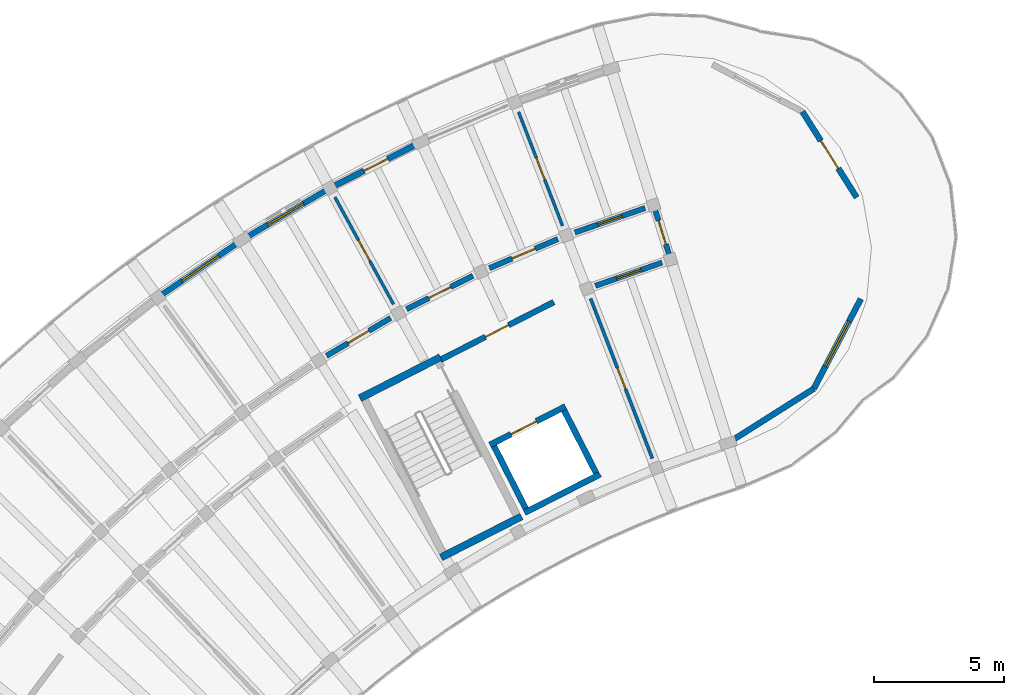
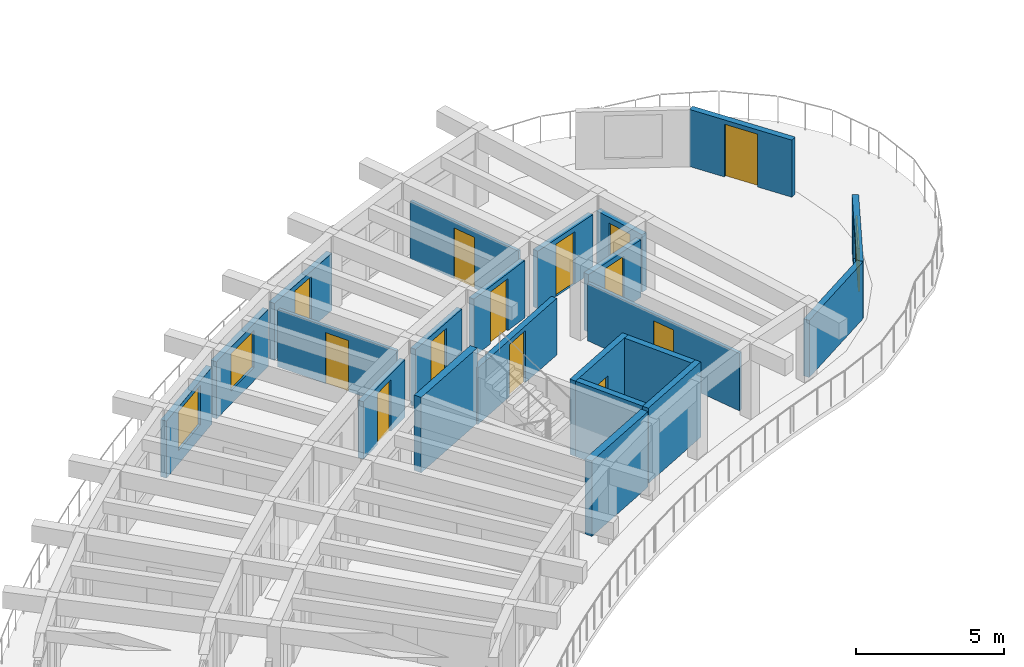
# One storey, part 11 of 19: 22 walls, 13 doors, 3 windows, 16 openings.
"""IFC4 building model written with IfcOpenShell, lengths in metres."""

from ifc_helpers import new_model, si_unit, direction, frame, frame_2d, origin, place, context, subcontext, project, spatial, rectangle, extrude, material, layer, layer_set, type_object, element, fill, save


model = new_model("IFC4")

# Units and contexts
model_context = context("Model", 3, precision=1e-05, world=origin(), true_north=direction((0.0, 1.0)))
body_context = subcontext(model_context, "Body", "Model", "MODEL_VIEW")
ifc_project = project(units=[si_unit("LENGTHUNIT", "METRE"), si_unit("AREAUNIT", "SQUARE_METRE"), si_unit("VOLUMEUNIT", "CUBIC_METRE"), si_unit("PLANEANGLEUNIT", "RADIAN"), si_unit("MASSUNIT", "GRAM", prefix="KILO")], contexts=[model_context])

# Site, building, storey
site_placement = place(None, origin())
site = spatial("IfcSite", under=ifc_project, at=site_placement, CompositionType="ELEMENT")
building_placement = place(site_placement, origin())
building = spatial("IfcBuilding", under=site, at=building_placement, Name="Tanwirah Colonnade Gardens", CompositionType="ELEMENT")
storey_placement = place(building_placement, frame((0.0, 0.0, 45.800048828125)))
storey = spatial("IfcBuildingStorey", under=building, at=storey_placement, Name="L13", CompositionType="ELEMENT", Elevation=45.800048828125)

# Wall, opening, door
ifc_material_1 = material(Name="Limestone architectural precast concrete C40/50", Category="masonry")
ifc_layer_1 = layer(ifc_material_1, 0.22509765625)
ifc_layer_set_1 = layer_set([ifc_layer_1], Name="Limestone architectural precast concrete C40/50")
wall_type_1 = type_object("IfcWallType", Name="EW-PC225", PredefinedType="SOLIDWALL", material=ifc_layer_set_1)
wall_1_placement = place(storey_placement, frame((39.79052734375, 114.14501953125, 0.0), z_axis=(0.0, 0.0, 1.0), x_axis=(-0.892761804842, -0.450528977776, 0.0)))
wall_1 = element("IfcWall", 1, at=wall_1_placement, inside=storey, type_object=wall_type_1, Name="Block A L13 OUT Precast Facade Wall 5", PredefinedType="SOLIDWALL", context=body_context, shape_type="SweptSolid", body=[
    extrude(rectangle(XDim=3.560791015625, YDim=0.22509765625, at=frame_2d((1.7802734375, 0.0))), origin(), (0.0, 0.0, 1.0), 2.35498046875),
])
opening_1_placement = place(wall_1_placement, frame((1.270263671875, 0.0, 0.0)))
opening_1 = element("IfcOpeningElement", 2, at=opening_1_placement, cuts=wall_1, Name="Opening L13-ED061", PredefinedType="OPENING", context=body_context, shape_type="SweptSolid", body=[
    extrude(rectangle(XDim=1.02001953125, YDim=2.139892578125, at=frame_2d((0.510009765625, 1.06982421875))), frame((0.0, 0.12255859375, 0.0), z_axis=(0.0, -1.0, 0.0), x_axis=(1.0, 0.0, 0.0)), (0.0, 0.0, 1.0), 0.2451171875),
])
ifc_material_2 = material(Name="Bronze aluminium glazed balcony door", Category="aluminium")
door_type_1 = type_object("IfcDoorType", Name="ED-BAL102", OperationType="NOTDEFINED", PredefinedType="DOOR", material=ifc_material_2)
door_1_placement = place(opening_1_placement, origin())
door_1 = element("IfcDoor", 3, at=door_1_placement, inside=storey, type_object=door_type_1, Name="Balcony glazed door L13-ED061", OperationType="SINGLE_SWING_LEFT", OverallHeight=2.139892578125, OverallWidth=1.02001953125, PredefinedType="DOOR", context=body_context, shape_type="SweptSolid", body=[
    extrude(rectangle(XDim=1.02001953125, YDim=2.139892578125, at=frame_2d((0.510009765625, 1.06982421875))), frame((0.0, 0.02490234375, 0.0), z_axis=(0.0, -1.0, 0.0), x_axis=(1.0, 0.0, 0.0)), (0.0, 0.0, 1.0), 0.050048828125),
])
fill(opening_1, door_1)

# Wall, opening, window
wall_2_placement = place(storey_placement, frame((36.2607421875, 112.34912109375, 0.0), z_axis=(0.0, 0.0, 1.0), x_axis=(-0.861113476273, -0.508412805682, 0.0)))
wall_2 = element("IfcWall", 4, at=wall_2_placement, inside=storey, type_object=wall_type_1, Name="Block A L13 OUT Precast Facade Wall 6", PredefinedType="SOLIDWALL", context=body_context, shape_type="SweptSolid", body=[
    extrude(rectangle(XDim=3.560791015625, YDim=0.22509765625, at=frame_2d((1.7802734375, 0.0))), origin(), (0.0, 0.0, 1.0), 2.35498046875),
])
opening_2_placement = place(wall_2_placement, frame((0.98046875, 0.0, 0.550048828125)))
opening_2 = element("IfcOpeningElement", 5, at=opening_2_placement, cuts=wall_2, Name="Opening WIN-U12", PredefinedType="OPENING", context=body_context, shape_type="SweptSolid", body=[
    extrude(rectangle(XDim=1.60009765625, YDim=1.534912109375, at=frame_2d((0.800048828125, 0.767578125))), frame((0.0, 0.12255859375, 0.0), z_axis=(0.0, -1.0, 0.0), x_axis=(1.0, 0.0, 0.0)), (0.0, 0.0, 1.0), 0.2451171875),
])
ifc_material_3 = material(Name="Thermally broken bronze aluminium and solar low-E double glazing", Category="aluminium")
window_type_1 = type_object("IfcWindowType", Name="WIN-U12", PartitioningType="DOUBLE_PANEL_VERTICAL", PredefinedType="WINDOW", material=ifc_material_3)
window_1_placement = place(opening_2_placement, origin())
window_1 = element("IfcWindow", 6, at=window_1_placement, inside=storey, type_object=window_type_1, Name="Facade window A-L13-OUT-06", OverallHeight=1.534912109375, OverallWidth=1.60009765625, PartitioningType="SINGLE_PANEL", PredefinedType="WINDOW", context=body_context, shape_type="SweptSolid", body=[
    extrude(rectangle(XDim=1.60009765625, YDim=1.534912109375, at=frame_2d((0.800048828125, 0.767578125))), frame((0.0, 0.030029296875, 0.0), z_axis=(0.0, -1.0, 0.0), x_axis=(1.0, 0.0, 0.0)), (0.0, 0.0, 1.0), 0.06005859375),
])
fill(opening_2, window_1)

wall_3_placement = place(storey_placement, frame((32.916259765625, 110.36181640625, 0.0), z_axis=(0.0, 0.0, 1.0), x_axis=(-0.82580643372, -0.563953663014, 0.0)))
wall_3 = element("IfcWall", 7, at=wall_3_placement, inside=storey, type_object=wall_type_1, Name="Block A L13 OUT Precast Facade Wall 7", PredefinedType="SOLIDWALL", context=body_context, shape_type="SweptSolid", body=[
    extrude(rectangle(XDim=3.560791015625, YDim=0.22509765625, at=frame_2d((1.7802734375, 0.0))), origin(), (0.0, 0.0, 1.0), 2.35498046875),
])
opening_3_placement = place(wall_3_placement, frame((0.92041015625, 0.0, 0.550048828125)))
opening_3 = element("IfcOpeningElement", 8, at=opening_3_placement, cuts=wall_3, Name="Opening WIN-U15", PredefinedType="OPENING", context=body_context, shape_type="SweptSolid", body=[
    extrude(rectangle(XDim=1.719970703125, YDim=1.610107421875, at=frame_2d((0.85986328125, 0.80517578125))), frame((0.0, 0.12255859375, 0.0), z_axis=(0.0, -1.0, 0.0), x_axis=(1.0, 0.0, 0.0)), (0.0, 0.0, 1.0), 0.2451171875),
])
window_type_2 = type_object("IfcWindowType", Name="WIN-U15", PartitioningType="DOUBLE_PANEL_VERTICAL", PredefinedType="WINDOW", material=ifc_material_3)
window_2_placement = place(opening_3_placement, origin())
window_2 = element("IfcWindow", 9, at=window_2_placement, inside=storey, type_object=window_type_2, Name="Facade window A-L13-OUT-07", OverallHeight=1.610107421875, OverallWidth=1.719970703125, PartitioningType="SINGLE_PANEL", PredefinedType="WINDOW", context=body_context, shape_type="SweptSolid", body=[
    extrude(rectangle(XDim=1.719970703125, YDim=1.610107421875, at=frame_2d((0.85986328125, 0.80517578125))), frame((0.0, 0.030029296875, 0.0), z_axis=(0.0, -1.0, 0.0), x_axis=(1.0, 0.0, 0.0)), (0.0, 0.0, 1.0), 0.06005859375),
])
fill(opening_3, window_2)

# Wall, opening, door
wall_4_placement = place(storey_placement, frame((54.62451171875, 115.39013671875, 0.0), z_axis=(0.0, 0.0, 1.0), x_axis=(0.534852920994, -0.844945177455, 0.0)))
wall_4 = element("IfcWall", 10, at=wall_4_placement, inside=storey, type_object=wall_type_1, Name="Block A L13 START Rounded End Wall 2", PredefinedType="SOLIDWALL", context=body_context, shape_type="SweptSolid", body=[
    extrude(rectangle(XDim=3.908203125, YDim=0.22509765625, at=frame_2d((1.9541015625, 0.0))), origin(), (0.0, 0.0, 1.0), 2.35498046875),
])
opening_4_placement = place(wall_4_placement, frame((1.32421875, 0.0, 0.0)))
opening_4 = element("IfcOpeningElement", 11, at=opening_4_placement, cuts=wall_4, Name="Opening L13-ED063", PredefinedType="OPENING", context=body_context, shape_type="SweptSolid", body=[
    extrude(rectangle(XDim=1.260009765625, YDim=2.179931640625, at=frame_2d((0.6298828125, 1.08984375))), frame((0.0, 0.12255859375, 0.0), z_axis=(0.0, -1.0, 0.0), x_axis=(1.0, 0.0, 0.0)), (0.0, 0.0, 1.0), 0.2451171875),
])
ifc_material_4 = material(Name="Bronze aluminium glazed terrace door", Category="aluminium")
door_type_2 = type_object("IfcDoorType", Name="ED-TER126", OperationType="NOTDEFINED", PredefinedType="DOOR", material=ifc_material_4)
door_2_placement = place(opening_4_placement, origin())
door_2 = element("IfcDoor", 12, at=door_2_placement, inside=storey, type_object=door_type_2, Name="Stepped corner terrace door L13-ED063", OperationType="SINGLE_SWING_RIGHT", OverallHeight=2.179931640625, OverallWidth=1.260009765625, PredefinedType="DOOR", context=body_context, shape_type="SweptSolid", body=[
    extrude(rectangle(XDim=1.260009765625, YDim=2.179931640625, at=frame_2d((0.6298828125, 1.08984375))), frame((0.0, 0.02490234375, 0.0), z_axis=(0.0, -1.0, 0.0), x_axis=(1.0, 0.0, 0.0)), (0.0, 0.0, 1.0), 0.050048828125),
])
fill(opening_4, door_2)

# Wall, opening, window
wall_5_placement = place(storey_placement, frame((56.873779296875, 108.18310546875, 0.0), z_axis=(0.0, 0.0, 1.0), x_axis=(-0.464273080326, -0.885692106143, 0.0)))
wall_5 = element("IfcWall", 13, at=wall_5_placement, inside=storey, type_object=wall_type_1, Name="Block A L13 START Rounded End Wall 4", PredefinedType="SOLIDWALL", context=body_context, shape_type="SweptSolid", body=[
    extrude(rectangle(XDim=3.908203125, YDim=0.22509765625, at=frame_2d((1.9541015625, 0.0))), origin(), (0.0, 0.0, 1.0), 2.35498046875),
])
opening_5_placement = place(wall_5_placement, frame((0.97900390625, 0.0, 0.39990234375)))
opening_5 = element("IfcOpeningElement", 14, at=opening_5_placement, cuts=wall_5, Name="Opening WIN-END2", PredefinedType="OPENING", context=body_context, shape_type="SweptSolid", body=[
    extrude(rectangle(XDim=1.949951171875, YDim=1.780029296875, at=frame_2d((0.97509765625, 0.89013671875))), frame((0.0, 0.12255859375, 0.0), z_axis=(0.0, -1.0, 0.0), x_axis=(1.0, 0.0, 0.0)), (0.0, 0.0, 1.0), 0.2451171875),
])
window_type_3 = type_object("IfcWindowType", Name="WIN-END2", PartitioningType="TRIPLE_PANEL_VERTICAL", PredefinedType="WINDOW", material=ifc_material_3)
window_3_placement = place(opening_5_placement, origin())
window_3 = element("IfcWindow", 15, at=window_3_placement, inside=storey, type_object=window_type_3, Name="Rounded corner window A-L13-START-4", OverallHeight=1.780029296875, OverallWidth=1.949951171875, PartitioningType="SINGLE_PANEL", PredefinedType="WINDOW", context=body_context, shape_type="SweptSolid", body=[
    extrude(rectangle(XDim=1.949951171875, YDim=1.780029296875, at=frame_2d((0.97509765625, 0.89013671875))), frame((0.0, 0.030029296875, 0.0), z_axis=(0.0, -1.0, 0.0), x_axis=(1.0, 0.0, 0.0)), (0.0, 0.0, 1.0), 0.06005859375),
])
fill(opening_5, window_3)

# Wall
wall_6_placement = place(storey_placement, frame((55.059326171875, 104.7216796875, 0.0), z_axis=(0.0, 0.0, 1.0), x_axis=(-0.844945177455, -0.534852920994, 0.0)))
element("IfcWall", 16, at=wall_6_placement, inside=storey, type_object=wall_type_1, Name="Block A L13 START Rounded End Wall 5", PredefinedType="SOLIDWALL", context=body_context, shape_type="SweptSolid", body=[
    extrude(rectangle(XDim=3.908203125, YDim=0.22509765625, at=frame_2d((1.9541015625, 0.0))), origin(), (0.0, 0.0, 1.0), 2.35498046875),
])

# Wall, opening, door
ifc_material_5 = material(Name="Precast concrete C40/50", Category="concrete")
ifc_layer_2 = layer(ifc_material_5, 0.205078125)
ifc_layer_set_2 = layer_set([ifc_layer_2], Name="Precast concrete C40/50")
wall_type_2 = type_object("IfcWallType", Name="IW-CORR205", PredefinedType="PARTITIONING", material=ifc_layer_set_2)
wall_7_placement = place(storey_placement, frame((48.56640625, 111.68017578125, 0.0), z_axis=(0.0, 0.0, 1.0), x_axis=(-0.944253820929, -0.329218349522, 0.0)))
wall_7 = element("IfcWall", 17, at=wall_7_placement, inside=storey, type_object=wall_type_2, Name="Block A L13 OUT Corridor Wall 3", PredefinedType="PARTITIONING", context=body_context, shape_type="SweptSolid", body=[
    extrude(rectangle(XDim=2.86328125, YDim=0.205078125, at=frame_2d((1.431640625, 0.0))), origin(), (0.0, 0.0, 1.0), 2.369873046875),
])
opening_6_placement = place(wall_7_placement, frame((0.9365234375, 0.0, 0.0)))
opening_6 = element("IfcOpeningElement", 18, at=opening_6_placement, cuts=wall_7, Name="Opening L13-AD737", PredefinedType="OPENING", context=body_context, shape_type="SweptSolid", body=[
    extrude(rectangle(XDim=0.989990234375, YDim=2.159912109375, at=frame_2d((0.4951171875, 1.080078125))), frame((0.0, 0.112548828125, 0.0), z_axis=(0.0, -1.0, 0.0), x_axis=(1.0, 0.0, 0.0)), (0.0, 0.0, 1.0), 0.22509765625),
])
ifc_material_6 = material(Name="Solid oak fire-resisting apartment entrance door")
door_type_3 = type_object("IfcDoorType", Name="ID-FLT099", OperationType="NOTDEFINED", PredefinedType="DOOR", material=ifc_material_6)
door_3_placement = place(opening_6_placement, origin())
door_3 = element("IfcDoor", 19, at=door_3_placement, inside=storey, type_object=door_type_3, Name="Apartment corridor door L13-AD737", OperationType="SINGLE_SWING_LEFT", OverallHeight=2.159912109375, OverallWidth=0.989990234375, PredefinedType="DOOR", context=body_context, shape_type="SweptSolid", body=[
    extrude(rectangle(XDim=0.989990234375, YDim=2.159912109375, at=frame_2d((0.4951171875, 1.080078125))), frame((0.0, 0.02490234375, 0.0), z_axis=(0.0, -1.0, 0.0), x_axis=(1.0, 0.0, 0.0)), (0.0, 0.0, 1.0), 0.050048828125),
])
fill(opening_6, door_3)

wall_8_placement = place(storey_placement, frame((49.221923828125, 109.580078125, 0.0), z_axis=(0.0, 0.0, 1.0), x_axis=(-0.944265123647, -0.329185929627, 0.0)))
wall_8 = element("IfcWall", 20, at=wall_8_placement, inside=storey, type_object=wall_type_2, Name="Block A L13 IN Corridor Wall 3", PredefinedType="PARTITIONING", context=body_context, shape_type="SweptSolid", body=[
    extrude(rectangle(XDim=2.71826171875, YDim=0.205078125, at=frame_2d((1.359130859375, 0.0))), origin(), (0.0, 0.0, 1.0), 2.369873046875),
])
opening_7_placement = place(wall_8_placement, frame((0.864013671875, 0.0, 0.0)))
opening_7 = element("IfcOpeningElement", 21, at=opening_7_placement, cuts=wall_8, Name="Opening L13-AD738", PredefinedType="OPENING", context=body_context, shape_type="SweptSolid", body=[
    extrude(rectangle(XDim=0.989990234375, YDim=2.159912109375, at=frame_2d((0.4951171875, 1.080078125))), frame((0.0, 0.112548828125, 0.0), z_axis=(0.0, -1.0, 0.0), x_axis=(1.0, 0.0, 0.0)), (0.0, 0.0, 1.0), 0.22509765625),
])
door_4_placement = place(opening_7_placement, origin())
door_4 = element("IfcDoor", 22, at=door_4_placement, inside=storey, type_object=door_type_3, Name="Apartment corridor door L13-AD738", OperationType="SINGLE_SWING_RIGHT", OverallHeight=2.159912109375, OverallWidth=0.989990234375, PredefinedType="DOOR", context=body_context, shape_type="SweptSolid", body=[
    extrude(rectangle(XDim=0.989990234375, YDim=2.159912109375, at=frame_2d((0.4951171875, 1.080078125))), frame((0.0, 0.02490234375, 0.0), z_axis=(0.0, -1.0, 0.0), x_axis=(1.0, 0.0, 0.0)), (0.0, 0.0, 1.0), 0.050048828125),
])
fill(opening_7, door_4)

wall_9_placement = place(storey_placement, frame((45.210205078125, 110.485595703125, 0.0), z_axis=(0.0, 0.0, 1.0), x_axis=(-0.920511160294, -0.390716270168, 0.0)))
wall_9 = element("IfcWall", 23, at=wall_9_placement, inside=storey, type_object=wall_type_2, Name="Block A L13 OUT Corridor Wall 4", PredefinedType="PARTITIONING", context=body_context, shape_type="SweptSolid", body=[
    extrude(rectangle(XDim=2.863037109375, YDim=0.205078125, at=frame_2d((1.431640625, 0.0))), origin(), (0.0, 0.0, 1.0), 2.369873046875),
])
opening_8_placement = place(wall_9_placement, frame((0.946533203125, 0.0, 0.0)))
opening_8 = element("IfcOpeningElement", 24, at=opening_8_placement, cuts=wall_9, Name="Opening L13-AD741", PredefinedType="OPENING", context=body_context, shape_type="SweptSolid", body=[
    extrude(rectangle(XDim=0.969970703125, YDim=2.14990234375, at=frame_2d((0.48486328125, 1.074951171875))), frame((0.0, 0.112548828125, 0.0), z_axis=(0.0, -1.0, 0.0), x_axis=(1.0, 0.0, 0.0)), (0.0, 0.0, 1.0), 0.22509765625),
])
door_type_4 = type_object("IfcDoorType", Name="ID-FLT097", OperationType="NOTDEFINED", PredefinedType="DOOR", material=ifc_material_6)
door_5_placement = place(opening_8_placement, origin())
door_5 = element("IfcDoor", 25, at=door_5_placement, inside=storey, type_object=door_type_4, Name="Apartment corridor door L13-AD741", OperationType="SINGLE_SWING_RIGHT", OverallHeight=2.14990234375, OverallWidth=0.969970703125, PredefinedType="DOOR", context=body_context, shape_type="SweptSolid", body=[
    extrude(rectangle(XDim=0.969970703125, YDim=2.14990234375, at=frame_2d((0.48486328125, 1.074951171875))), frame((0.0, 0.02490234375, 0.0), z_axis=(0.0, -1.0, 0.0), x_axis=(1.0, 0.0, 0.0)), (0.0, 0.0, 1.0), 0.050048828125),
])
fill(opening_8, door_5)

wall_10_placement = place(storey_placement, frame((41.93994140625, 109.072509765625, 0.0), z_axis=(0.0, 0.0, 1.0), x_axis=(-0.89273239336, -0.450587254419, 0.0)))
wall_10 = element("IfcWall", 26, at=wall_10_placement, inside=storey, type_object=wall_type_2, Name="Block A L13 OUT Corridor Wall 5", PredefinedType="PARTITIONING", context=body_context, shape_type="SweptSolid", body=[
    extrude(rectangle(XDim=2.863037109375, YDim=0.205078125, at=frame_2d((1.431640625, 0.0))), origin(), (0.0, 0.0, 1.0), 2.369873046875),
])
opening_9_placement = place(wall_10_placement, frame((0.95654296875, 0.0, 0.0)))
opening_9 = element("IfcOpeningElement", 27, at=opening_9_placement, cuts=wall_10, Name="Opening L13-AD742", PredefinedType="OPENING", context=body_context, shape_type="SweptSolid", body=[
    extrude(rectangle(XDim=0.949951171875, YDim=2.1298828125, at=frame_2d((0.47509765625, 1.06494140625))), frame((0.0, 0.112548828125, 0.0), z_axis=(0.0, -1.0, 0.0), x_axis=(1.0, 0.0, 0.0)), (0.0, 0.0, 1.0), 0.22509765625),
])
door_type_5 = type_object("IfcDoorType", Name="ID-FLT095", OperationType="NOTDEFINED", PredefinedType="DOOR", material=ifc_material_6)
door_6_placement = place(opening_9_placement, origin())
door_6 = element("IfcDoor", 28, at=door_6_placement, inside=storey, type_object=door_type_5, Name="Apartment corridor door L13-AD742", OperationType="SINGLE_SWING_LEFT", OverallHeight=2.1298828125, OverallWidth=0.949951171875, PredefinedType="DOOR", context=body_context, shape_type="SweptSolid", body=[
    extrude(rectangle(XDim=0.949951171875, YDim=2.1298828125, at=frame_2d((0.47509765625, 1.06494140625))), frame((0.0, 0.02490234375, 0.0), z_axis=(0.0, -1.0, 0.0), x_axis=(1.0, 0.0, 0.0)), (0.0, 0.0, 1.0), 0.050048828125),
])
fill(opening_9, door_6)

wall_11_placement = place(storey_placement, frame((38.77001953125, 107.447021484375, 0.0), z_axis=(0.0, 0.0, 1.0), x_axis=(-0.861113214678, -0.508413248753, 0.0)))
wall_11 = element("IfcWall", 29, at=wall_11_placement, inside=storey, type_object=wall_type_2, Name="Block A L13 OUT Corridor Wall 6", PredefinedType="PARTITIONING", context=body_context, shape_type="SweptSolid", body=[
    extrude(rectangle(XDim=2.863037109375, YDim=0.205078125, at=frame_2d((1.431640625, 0.0))), origin(), (0.0, 0.0, 1.0), 2.369873046875),
])
opening_10_placement = place(wall_11_placement, frame((0.966552734375, 0.0, 0.0)))
opening_10 = element("IfcOpeningElement", 30, at=opening_10_placement, cuts=wall_11, Name="Opening L13-AD744", PredefinedType="OPENING", context=body_context, shape_type="SweptSolid", body=[
    extrude(rectangle(XDim=0.929931640625, YDim=2.1201171875, at=frame_2d((0.46484375, 1.06005859375))), frame((0.0, 0.112548828125, 0.0), z_axis=(0.0, -1.0, 0.0), x_axis=(1.0, 0.0, 0.0)), (0.0, 0.0, 1.0), 0.22509765625),
])
door_type_6 = type_object("IfcDoorType", Name="ID-FLT093", OperationType="NOTDEFINED", PredefinedType="DOOR", material=ifc_material_6)
door_7_placement = place(opening_10_placement, origin())
door_7 = element("IfcDoor", 31, at=door_7_placement, inside=storey, type_object=door_type_6, Name="Apartment corridor door L13-AD744", OperationType="SINGLE_SWING_RIGHT", OverallHeight=2.1201171875, OverallWidth=0.929931640625, PredefinedType="DOOR", context=body_context, shape_type="SweptSolid", body=[
    extrude(rectangle(XDim=0.929931640625, YDim=2.1201171875, at=frame_2d((0.46484375, 1.06005859375))), frame((0.0, 0.02490234375, 0.0), z_axis=(0.0, -1.0, 0.0), x_axis=(1.0, 0.0, 0.0)), (0.0, 0.0, 1.0), 0.050048828125),
])
fill(opening_10, door_7)

wall_12_placement = place(storey_placement, frame((49.537353515625, 109.7431640625, 0.0), z_axis=(0.0, 0.0, 1.0), x_axis=(-0.297857918398, 0.954610213882, 0.0)))
wall_12 = element("IfcWall", 32, at=wall_12_placement, inside=storey, type_object=wall_type_2, Name="Block A L13 CS Corner Suite Corridor Wall", PredefinedType="PARTITIONING", context=body_context, shape_type="SweptSolid", body=[
    extrude(rectangle(XDim=2.099853515625, YDim=0.205078125, at=frame_2d((1.0498046875, 0.0))), origin(), (0.0, 0.0, 1.0), 2.369873046875),
])
opening_11_placement = place(wall_12_placement, frame((0.570068359375, 0.0, 0.0)))
opening_11 = element("IfcOpeningElement", 33, at=opening_11_placement, cuts=wall_12, Name="Opening L13-CD764", PredefinedType="OPENING", context=body_context, shape_type="SweptSolid", body=[
    extrude(rectangle(XDim=0.949951171875, YDim=2.1298828125, at=frame_2d((0.47509765625, 1.06494140625))), frame((0.0, 0.112548828125, 0.0), z_axis=(0.0, -1.0, 0.0), x_axis=(1.0, 0.0, 0.0)), (0.0, 0.0, 1.0), 0.22509765625),
])
door_8_placement = place(opening_11_placement, origin())
door_8 = element("IfcDoor", 34, at=door_8_placement, inside=storey, type_object=door_type_5, Name="Corner suite entrance door L13-CD764", OperationType="SINGLE_SWING_LEFT", OverallHeight=2.1298828125, OverallWidth=0.949951171875, PredefinedType="DOOR", context=body_context, shape_type="SweptSolid", body=[
    extrude(rectangle(XDim=0.949951171875, YDim=2.1298828125, at=frame_2d((0.47509765625, 1.06494140625))), frame((0.0, 0.02490234375, 0.0), z_axis=(0.0, -1.0, 0.0), x_axis=(1.0, 0.0, 0.0)), (0.0, 0.0, 1.0), 0.050048828125),
])
fill(opening_11, door_8)

ifc_material_7 = material(Name="Autoclaved aerated masonry blockwork", Category="masonry")
ifc_layer_3 = layer(ifc_material_7, 0.219970703125)
ifc_layer_set_3 = layer_set([ifc_layer_3], Name="Autoclaved aerated masonry blockwork")
wall_type_3 = type_object("IfcWallType", Name="IW-FFL220", PredefinedType="PARTITIONING", material=ifc_layer_set_3)
wall_13_placement = place(storey_placement, frame((40.68212890625, 105.833740234375, 0.0), z_axis=(0.0, 0.0, 1.0), x_axis=(0.891003372311, 0.453996685595, 0.0)))
wall_13 = element("IfcWall", 35, at=wall_13_placement, inside=storey, type_object=wall_type_3, Name="CORE-A1 L13 Enclosed Lobby Fire Wall", PredefinedType="PARTITIONING", context=body_context, shape_type="SweptSolid", body=[
    extrude(rectangle(XDim=4.900146484375, YDim=0.219970703125, at=frame_2d((2.4501953125, 0.0))), origin(), (0.0, 0.0, 1.0), 2.33984375),
])
opening_12_placement = place(wall_13_placement, frame((1.949951171875, 0.0, 0.0)))
opening_12 = element("IfcOpeningElement", 36, at=opening_12_placement, cuts=wall_13, Name="Opening L13-LD031", PredefinedType="OPENING", context=body_context, shape_type="SweptSolid", body=[
    extrude(rectangle(XDim=1.0, YDim=2.14990234375, at=frame_2d((0.5, 1.074951171875))), frame((0.0, 0.119873046875, 0.0), z_axis=(0.0, -1.0, 0.0), x_axis=(1.0, 0.0, 0.0)), (0.0, 0.0, 1.0), 0.239990234375),
])
ifc_material_8 = material(Name="Acoustic fire-resisting lobby door")
door_type_7 = type_object("IfcDoorType", Name="ID-FFL100", OperationType="NOTDEFINED", PredefinedType="DOOR", material=ifc_material_8)
door_9_placement = place(opening_12_placement, origin())
door_9 = element("IfcDoor", 37, at=door_9_placement, inside=storey, type_object=door_type_7, Name="CORE-A1 L13 Lobby Fire Door L13-LD031", OperationType="SINGLE_SWING_RIGHT", OverallHeight=2.14990234375, OverallWidth=1.0, PredefinedType="DOOR", context=body_context, shape_type="SweptSolid", body=[
    extrude(rectangle(XDim=1.0, YDim=2.14990234375, at=frame_2d((0.5, 1.074951171875))), frame((0.0, 0.02490234375, 0.0), z_axis=(0.0, -1.0, 0.0), x_axis=(1.0, 0.0, 0.0)), (0.0, 0.0, 1.0), 0.050048828125),
])
fill(opening_12, door_9)

ifc_material_9 = material(Name="Acoustic gypsum stud partition")
ifc_layer_4 = layer(ifc_material_9, 0.114990234375)
ifc_layer_set_4 = layer_set([ifc_layer_4], Name="Acoustic gypsum stud partition")
wall_type_4 = type_object("IfcWallType", Name="IW-INT115", PredefinedType="PARTITIONING", material=ifc_layer_set_4)
wall_14_placement = place(storey_placement, frame((45.388427734375, 110.99560546875, 0.0), z_axis=(0.0, 0.0, 1.0), x_axis=(-0.360186633854, 0.932880264982, 0.0)))
wall_14 = element("IfcWall", 38, at=wall_14_placement, inside=storey, type_object=wall_type_4, Name="Block A L13 Radial Partition 3", PredefinedType="PARTITIONING", context=body_context, shape_type="SweptSolid", body=[
    extrude(rectangle(XDim=4.699951171875, YDim=0.114990234375, at=frame_2d((2.35009765625, 0.0))), origin(), (0.0, 0.0, 1.0), 2.369873046875),
])
opening_13_placement = place(wall_14_placement, frame((1.905029296875, 0.0, 0.0)))
opening_13 = element("IfcOpeningElement", 39, at=opening_13_placement, cuts=wall_14, Name="Opening L13-RD739", PredefinedType="OPENING", context=body_context, shape_type="SweptSolid", body=[
    extrude(rectangle(XDim=0.889892578125, YDim=2.10009765625, at=frame_2d((0.44482421875, 1.050048828125))), frame((0.0, 0.0673828125, 0.0), z_axis=(0.0, -1.0, 0.0), x_axis=(1.0, 0.0, 0.0)), (0.0, 0.0, 1.0), 0.135009765625),
])
ifc_material_10 = material(Name="Painted hardwood bedroom door", Category="wood")
door_type_8 = type_object("IfcDoorType", Name="ID-RM089", OperationType="NOTDEFINED", PredefinedType="DOOR", material=ifc_material_10)
door_10_placement = place(opening_13_placement, origin())
door_10 = element("IfcDoor", 40, at=door_10_placement, inside=storey, type_object=door_type_8, Name="Internal apartment door L13-RD739", OperationType="SINGLE_SWING_LEFT", OverallHeight=2.10009765625, OverallWidth=0.889892578125, PredefinedType="DOOR", context=body_context, shape_type="SweptSolid", body=[
    extrude(rectangle(XDim=0.889892578125, YDim=2.10009765625, at=frame_2d((0.44482421875, 1.050048828125))), frame((0.0, 0.02490234375, 0.0), z_axis=(0.0, -1.0, 0.0), x_axis=(1.0, 0.0, 0.0)), (0.0, 0.0, 1.0), 0.050048828125),
])
fill(opening_13, door_10)

wall_15_placement = place(storey_placement, frame((38.879638671875, 107.975830078125, 0.0), z_axis=(0.0, 0.0, 1.0), x_axis=(-0.479721743761, 0.877420679357, 0.0)))
wall_15 = element("IfcWall", 41, at=wall_15_placement, inside=storey, type_object=wall_type_4, Name="Block A L13 Radial Partition 5", PredefinedType="PARTITIONING", context=body_context, shape_type="SweptSolid", body=[
    extrude(rectangle(XDim=4.699951171875, YDim=0.114990234375, at=frame_2d((2.35009765625, 0.0))), origin(), (0.0, 0.0, 1.0), 2.369873046875),
])
opening_14_placement = place(wall_15_placement, frame((1.89501953125, 0.0, 0.0)))
opening_14 = element("IfcOpeningElement", 42, at=opening_14_placement, cuts=wall_15, Name="Opening L13-RD743", PredefinedType="OPENING", context=body_context, shape_type="SweptSolid", body=[
    extrude(rectangle(XDim=0.909912109375, YDim=2.10009765625, at=frame_2d((0.455078125, 1.050048828125))), frame((0.0, 0.0673828125, 0.0), z_axis=(0.0, -1.0, 0.0), x_axis=(1.0, 0.0, 0.0)), (0.0, 0.0, 1.0), 0.135009765625),
])
ifc_material_11 = material(Name="Painted hardwood internal room door", Category="wood")
door_type_9 = type_object("IfcDoorType", Name="ID-RM091", OperationType="NOTDEFINED", PredefinedType="DOOR", material=ifc_material_11)
door_11_placement = place(opening_14_placement, origin())
door_11 = element("IfcDoor", 43, at=door_11_placement, inside=storey, type_object=door_type_9, Name="Internal apartment door L13-RD743", OperationType="SINGLE_SWING_LEFT", OverallHeight=2.10009765625, OverallWidth=0.909912109375, PredefinedType="DOOR", context=body_context, shape_type="SweptSolid", body=[
    extrude(rectangle(XDim=0.909912109375, YDim=2.10009765625, at=frame_2d((0.455078125, 1.050048828125))), frame((0.0, 0.02490234375, 0.0), z_axis=(0.0, -1.0, 0.0), x_axis=(1.0, 0.0, 0.0)), (0.0, 0.0, 1.0), 0.050048828125),
])
fill(opening_14, door_11)

ifc_material_12 = material(Name="Moisture-resistant gypsum stud partition")
ifc_layer_5 = layer(ifc_material_12, 0.125)
ifc_layer_set_5 = layer_set([ifc_layer_5], Name="Moisture-resistant gypsum stud partition")
wall_type_5 = type_object("IfcWallType", Name="IW-INT125", PredefinedType="PARTITIONING", material=ifc_layer_set_5)
wall_16_placement = place(storey_placement, frame((48.845947265625, 102.039794921875, 0.0), z_axis=(0.0, 0.0, 1.0), x_axis=(-0.360183473608, 0.932881485152, 0.0)))
wall_16 = element("IfcWall", 44, at=wall_16_placement, inside=storey, type_object=wall_type_5, Name="Block A L13 Inner Radial Partition 3", PredefinedType="PARTITIONING", context=body_context, shape_type="SweptSolid", body=[
    extrude(rectangle(XDim=6.599853515625, YDim=0.125, at=frame_2d((3.2998046875, 0.0))), origin(), (0.0, 0.0, 1.0), 2.369873046875),
])
opening_15_placement = place(wall_16_placement, frame((2.864990234375, 0.0, 0.0)))
opening_15 = element("IfcOpeningElement", 45, at=opening_15_placement, cuts=wall_16, Name="Opening L13-RD740", PredefinedType="OPENING", context=body_context, shape_type="SweptSolid", body=[
    extrude(rectangle(XDim=0.8701171875, YDim=2.080078125, at=frame_2d((0.43505859375, 1.0400390625))), frame((0.0, 0.072509765625, 0.0), z_axis=(0.0, -1.0, 0.0), x_axis=(1.0, 0.0, 0.0)), (0.0, 0.0, 1.0), 0.14501953125),
])
ifc_material_13 = material(Name="Painted hardwood study door", Category="wood")
door_type_10 = type_object("IfcDoorType", Name="ID-RM087", OperationType="NOTDEFINED", PredefinedType="DOOR", material=ifc_material_13)
door_12_placement = place(opening_15_placement, origin())
door_12 = element("IfcDoor", 46, at=door_12_placement, inside=storey, type_object=door_type_10, Name="Internal apartment door L13-RD740", OperationType="SINGLE_SWING_RIGHT", OverallHeight=2.080078125, OverallWidth=0.8701171875, PredefinedType="DOOR", context=body_context, shape_type="SweptSolid", body=[
    extrude(rectangle(XDim=0.8701171875, YDim=2.080078125, at=frame_2d((0.43505859375, 1.0400390625))), frame((0.0, 0.02490234375, 0.0), z_axis=(0.0, -1.0, 0.0), x_axis=(1.0, 0.0, 0.0)), (0.0, 0.0, 1.0), 0.050048828125),
])
fill(opening_15, door_12)

# Walls
ifc_material_14 = material(Name="Concrete C45/55", Category="concrete")
ifc_layer_6 = layer(ifc_material_14, 0.280029296875)
ifc_layer_set_6 = layer_set([ifc_layer_6], Name="Concrete C45/55")
wall_type_6 = type_object("IfcWallType", Name="SW-CORE280", PredefinedType="SHEAR", material=ifc_layer_set_6)
for number, where, z_axis, x_axis, name in (
    (47, (40.708740234375, 98.2265625, 0.0), (0.0, 0.0, 1.0), (0.891005763861, 0.453991991964, 0.0), "CORE-A1 L13 Stair Shaft Shear Wall FAR"),
    (48, (37.585205078125, 104.356689453125, 0.0), (0.0, 0.0, 1.0), (0.891020222667, 0.453963613958, 0.0), "CORE-A1 L13 Stair Shaft Shear Wall NEAR"),
):
    element("IfcWall", number, at=place(storey_placement, frame(where, z_axis=z_axis, x_axis=x_axis)), inside=storey, type_object=wall_type_6, Name=name, PredefinedType="SHEAR", context=body_context, shape_type="SweptSolid", body=[
        extrude(rectangle(XDim=3.47998046875, YDim=0.280029296875, at=frame_2d((1.739990234375, 0.0))), origin(), (0.0, 0.0, 1.0), 3.10986328125),
    ])

# Wall, opening, door
ifc_layer_7 = layer(ifc_material_14, 0.22998046875)
ifc_layer_set_7 = layer_set([ifc_layer_7], Name="Concrete C45/55")
wall_type_7 = type_object("IfcWallType", Name="SW-LIFT230", PredefinedType="SHEAR", material=ifc_layer_set_7)
wall_17_placement = place(storey_placement, frame((42.5966796875, 102.561279296875, 0.0), z_axis=(0.0, 0.0, 1.0), x_axis=(0.891001200497, 0.454000947921, 0.0)))
wall_17 = element("IfcWall", 49, at=wall_17_placement, inside=storey, type_object=wall_type_7, Name="CORE-A1 L13 Lift Shaft Wall FRONT", PredefinedType="SHEAR", context=body_context, shape_type="SweptSolid", body=[
    extrude(rectangle(XDim=3.259765625, YDim=0.22998046875, at=frame_2d((1.6298828125, 0.0))), origin(), (0.0, 0.0, 1.0), 3.10986328125),
])
opening_16_placement = place(wall_17_placement, frame((0.89990234375, 0.0, 0.0)))
opening_16 = element("IfcOpeningElement", 50, at=opening_16_placement, cuts=wall_17, Name="Opening L13-LD-FL-A1", PredefinedType="OPENING", context=body_context, shape_type="SweptSolid", body=[
    extrude(rectangle(XDim=1.10009765625, YDim=2.14990234375, at=frame_2d((0.550048828125, 1.074951171875))), frame((0.0, 0.125, 0.0), z_axis=(0.0, -1.0, 0.0), x_axis=(1.0, 0.0, 0.0)), (0.0, 0.0, 1.0), 0.25),
])
ifc_material_15 = material(Name="Stainless steel sliding fire lift landing door", Category="steel")
door_type_11 = type_object("IfcDoorType", Name="LD-FF11", OperationType="DOUBLE_DOOR_SLIDING", PredefinedType="DOOR", material=ifc_material_15)
door_13_placement = place(opening_16_placement, origin())
door_13 = element("IfcDoor", 51, at=door_13_placement, inside=storey, type_object=door_type_11, Name="Lift FL-A1 L13 Sliding Landing Door", OperationType="DOUBLE_DOOR_SLIDING", OverallHeight=2.14990234375, OverallWidth=1.10009765625, PredefinedType="DOOR", context=body_context, shape_type="SweptSolid", body=[
    extrude(rectangle(XDim=1.10009765625, YDim=2.14990234375, at=frame_2d((0.550048828125, 1.074951171875))), frame((0.0, 0.02490234375, 0.0), z_axis=(0.0, -1.0, 0.0), x_axis=(1.0, 0.0, 0.0)), (0.0, 0.0, 1.0), 0.050048828125),
])
fill(opening_16, door_13)

# Walls
wall_18_placement = place(storey_placement, frame((43.9267578125, 99.950439453125, 0.0), z_axis=(0.0, 0.0, 1.0), x_axis=(0.891016635648, 0.453970654337, 0.0)))
element("IfcWall", 52, at=wall_18_placement, inside=storey, type_object=wall_type_7, Name="CORE-A1 L13 Lift Shaft Wall BACK", PredefinedType="SHEAR", context=body_context, shape_type="SweptSolid", body=[
    extrude(rectangle(XDim=3.260009765625, YDim=0.22998046875, at=frame_2d((1.6298828125, 0.0))), origin(), (0.0, 0.0, 1.0), 3.10986328125),
])
for number, where, z_axis, x_axis, name in (
    (53, (42.751220703125, 102.510986328125, 0.0), (0.0, 0.0, 1.0), (0.454000278178, -0.891001541758, 0.0), "CORE-A1 L13 Lift Shaft Wall SIDEA"),
    (54, (45.450927734375, 103.886474609375, 0.0), (0.0, 0.0, 1.0), (0.454000278178, -0.891001541758, 0.0), "CORE-A1 L13 Lift Shaft Wall SIDEB"),
):
    element("IfcWall", number, at=place(storey_placement, frame(where, z_axis=z_axis, x_axis=x_axis)), inside=storey, type_object=wall_type_7, Name=name, PredefinedType="SHEAR", context=body_context, shape_type="SweptSolid", body=[
        extrude(rectangle(XDim=2.699951171875, YDim=0.22998046875, at=frame_2d((1.35009765625, 0.0))), origin(), (0.0, 0.0, 1.0), 3.10986328125),
    ])

save(model, "model.ifc")
